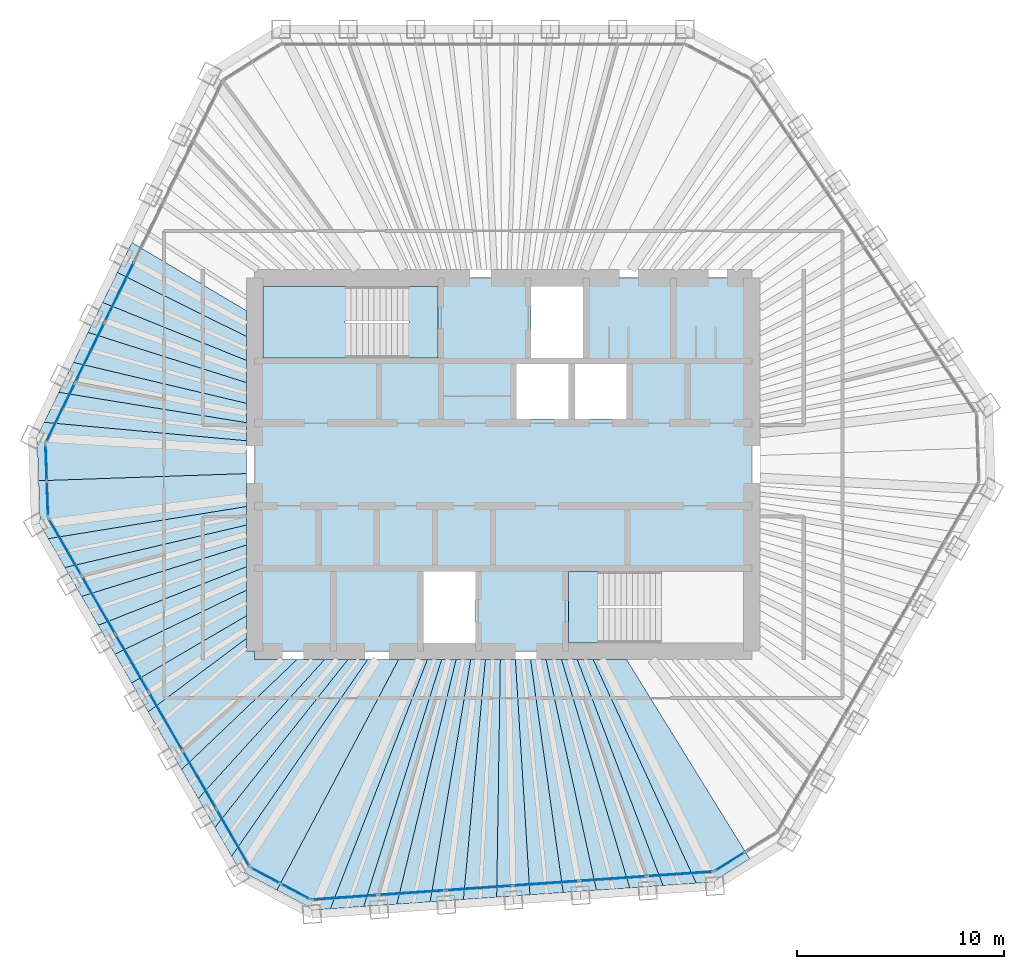
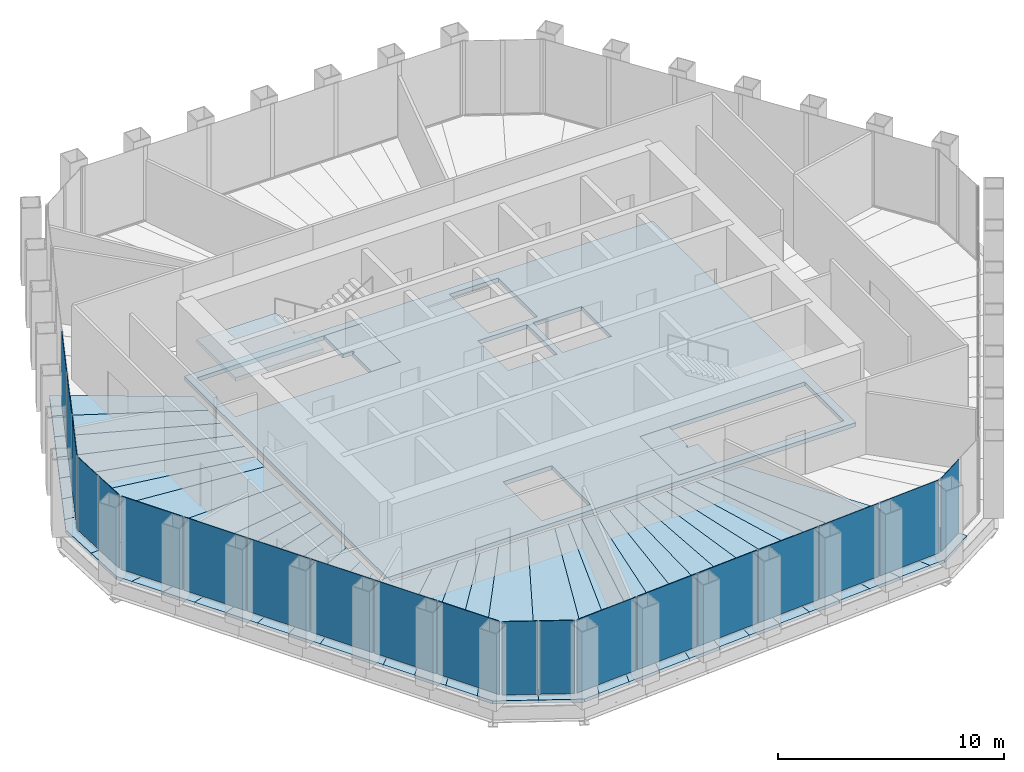
# One storey, part 9 of 14: 36 slabs, 20 plates, 8 elements without a shape of their own.
"""IFC4 building model written with IfcOpenShell, lengths in metres."""

from ifc_helpers import new_model, si_unit, direction, frame, origin, origin_2d, place, context, subcontext, project, spatial, polyline, rectangle, outline, extrude, material, layer, layer_set, type_object, element, aggregate, save


model = new_model("IFC4")

# Units and contexts
model_context = context("Model", 3, precision=1e-05, world=origin(), true_north=direction((0.0, 1.0)))
body_context = subcontext(model_context, "Body", "Model", "MODEL_VIEW")
ifc_project = project(units=[si_unit("LENGTHUNIT", "METRE"), si_unit("AREAUNIT", "SQUARE_METRE"), si_unit("VOLUMEUNIT", "CUBIC_METRE"), si_unit("PLANEANGLEUNIT", "RADIAN"), si_unit("MASSUNIT", "GRAM", prefix="KILO")], contexts=[model_context])

# Site, building, storey
site_placement = place(None, origin())
site = spatial("IfcSite", under=ifc_project, at=site_placement, CompositionType="ELEMENT")
building_placement = place(site_placement, origin())
building = spatial("IfcBuilding", under=site, at=building_placement, Name="Qingtian Harvest Tower", CompositionType="ELEMENT")
storey_placement = place(building_placement, frame((0.0, 0.0, 320.800048828125)))
storey = spatial("IfcBuildingStorey", under=building, at=storey_placement, Name="L71", CompositionType="ELEMENT", Elevation=320.800048828125)

# Slabs
ifc_material_1 = material(Name="Concrete fc' 35 MPa", Category="concrete")
ifc_layer_1 = layer(ifc_material_1, 0.169921875)
ifc_layer_set_1 = layer_set([ifc_layer_1], Name="Composite floor slab FS17 170")
slab_type_1 = type_object("IfcSlabType", Name="Composite floor slab FS17 170", PredefinedType="FLOOR", material=ifc_layer_set_1)
slab_1_placement = place(storey_placement, frame((0.0, 0.0, -0.170166015625)))
element("IfcSlab", 1, at=slab_1_placement, inside=storey, type_object=slab_type_1, Name="Floor slab L71 panel D01", PredefinedType="FLOOR", context=body_context, shape_type="SweptSolid", body=[
    extrude(outline(polyline([(-22.422607421875, -0.783203125), (-12.39990234375, -0.436767578125), (-12.39990234375, -2.028564453125), (-21.95751953125, -3.578369140625), (-22.348876953125, -2.90087890625), (-22.422607421875, -0.783203125)])), origin(), (0.0, 0.0, 1.0), 0.170166015625),
])
slab_2_placement = place(storey_placement, frame((0.0, 0.0, -0.170166015625)))
element("IfcSlab", 2, at=slab_2_placement, inside=storey, type_object=slab_type_1, Name="Floor slab L71 panel D02", PredefinedType="FLOOR", context=body_context, shape_type="SweptSolid", body=[
    extrude(outline(polyline([(-12.39990234375, -2.923095703125), (-21.153076171875, -4.9716796875), (-21.95751953125, -3.578369140625), (-12.39990234375, -2.028564453125), (-12.39990234375, -2.923095703125)])), origin(), (0.0, 0.0, 1.0), 0.170166015625),
])
slab_3_placement = place(storey_placement, frame((0.0, 0.0, -0.170166015625)))
element("IfcSlab", 3, at=slab_3_placement, inside=storey, type_object=slab_type_1, Name="Floor slab L71 panel D03", PredefinedType="FLOOR", context=body_context, shape_type="SweptSolid", body=[
    extrude(outline(polyline([(-12.39990234375, -3.888427734375), (-20.3486328125, -6.365234375), (-21.153076171875, -4.9716796875), (-12.39990234375, -2.923095703125), (-12.39990234375, -3.888427734375)])), origin(), (0.0, 0.0, 1.0), 0.170166015625),
])
slab_4_placement = place(storey_placement, frame((0.0, 0.0, -0.170166015625)))
element("IfcSlab", 4, at=slab_4_placement, inside=storey, type_object=slab_type_1, Name="Floor slab L71 panel D04", PredefinedType="FLOOR", context=body_context, shape_type="SweptSolid", body=[
    extrude(outline(polyline([(-12.39990234375, -4.93359375), (-19.544189453125, -7.758544921875), (-20.3486328125, -6.365234375), (-12.39990234375, -3.888427734375), (-12.39990234375, -4.93359375)])), origin(), (0.0, 0.0, 1.0), 0.170166015625),
])
slab_5_placement = place(storey_placement, frame((0.0, 0.0, -0.170166015625)))
element("IfcSlab", 5, at=slab_5_placement, inside=storey, type_object=slab_type_1, Name="Floor slab L71 panel D05", PredefinedType="FLOOR", context=body_context, shape_type="SweptSolid", body=[
    extrude(outline(polyline([(-12.39990234375, -6.068359375), (-18.73974609375, -9.15185546875), (-19.544189453125, -7.758544921875), (-12.39990234375, -4.93359375), (-12.39990234375, -6.068359375)])), origin(), (0.0, 0.0, 1.0), 0.170166015625),
])
slab_6_placement = place(storey_placement, frame((0.0, 0.0, -0.170166015625)))
element("IfcSlab", 6, at=slab_6_placement, inside=storey, type_object=slab_type_1, Name="Floor slab L71 panel D06", PredefinedType="FLOOR", context=body_context, shape_type="SweptSolid", body=[
    extrude(outline(polyline([(-12.39990234375, -7.304931640625), (-17.93505859375, -10.54541015625), (-18.73974609375, -9.15185546875), (-12.39990234375, -6.068359375), (-12.39990234375, -7.304931640625)])), origin(), (0.0, 0.0, 1.0), 0.170166015625),
])
slab_7_placement = place(storey_placement, frame((0.0, 0.0, -0.170166015625)))
element("IfcSlab", 7, at=slab_7_placement, inside=storey, type_object=slab_type_1, Name="Floor slab L71 panel D07", PredefinedType="FLOOR", context=body_context, shape_type="SweptSolid", body=[
    extrude(outline(polyline([(-12.39990234375, -8.400390625), (-17.134033203125, -11.932861328125), (-17.93505859375, -10.54541015625), (-12.39990234375, -7.304931640625), (-12.39990234375, -8.400390625)])), origin(), (0.0, 0.0, 1.0), 0.170166015625),
])
slab_8_placement = place(storey_placement, frame((0.0, 0.0, -0.170166015625)))
element("IfcSlab", 8, at=slab_8_placement, inside=storey, type_object=slab_type_1, Name="Floor slab L71 panel D09", PredefinedType="FLOOR", context=body_context, shape_type="SweptSolid", body=[
    extrude(outline(polyline([(-15.522216796875, -14.724609375), (-17.134033203125, -11.932861328125), (-12.39990234375, -8.400390625), (-12.39990234375, -9.0), (-12.0, -9.0), (-12.0, -9.39990234375), (-9.943115234375, -9.39990234375), (-15.522216796875, -14.724609375)])), origin(), (0.0, 0.0, 1.0), 0.170166015625),
])
slab_9_placement = place(storey_placement, frame((0.0, 0.0, -0.170166015625)))
element("IfcSlab", 9, at=slab_9_placement, inside=storey, type_object=slab_type_1, Name="Floor slab L71 panel D10", PredefinedType="FLOOR", context=body_context, shape_type="SweptSolid", body=[
    extrude(outline(polyline([(-8.609130859375, -9.39990234375), (-14.7177734375, -16.1181640625), (-15.522216796875, -14.724609375), (-9.943115234375, -9.39990234375), (-8.609130859375, -9.39990234375)])), origin(), (0.0, 0.0, 1.0), 0.170166015625),
])
slab_10_placement = place(storey_placement, frame((0.0, 0.0, -0.170166015625)))
element("IfcSlab", 10, at=slab_10_placement, inside=storey, type_object=slab_type_1, Name="Floor slab L71 panel D11", PredefinedType="FLOOR", context=body_context, shape_type="SweptSolid", body=[
    extrude(outline(polyline([(-7.488525390625, -9.39990234375), (-13.9130859375, -17.51171875), (-14.7177734375, -16.1181640625), (-8.609130859375, -9.39990234375), (-7.488525390625, -9.39990234375)])), origin(), (0.0, 0.0, 1.0), 0.170166015625),
])
slab_11_placement = place(storey_placement, frame((0.0, 0.0, -0.170166015625)))
element("IfcSlab", 11, at=slab_11_placement, inside=storey, type_object=slab_type_1, Name="Floor slab L71 panel D12", PredefinedType="FLOOR", context=body_context, shape_type="SweptSolid", body=[
    extrude(outline(polyline([(-6.533935546875, -9.39990234375), (-13.108642578125, -18.905029296875), (-13.9130859375, -17.51171875), (-7.488525390625, -9.39990234375), (-6.533935546875, -9.39990234375)])), origin(), (0.0, 0.0, 1.0), 0.170166015625),
])
slab_12_placement = place(storey_placement, frame((0.0, 0.0, -0.170166015625)))
element("IfcSlab", 12, at=slab_12_placement, inside=storey, type_object=slab_type_1, Name="Floor slab L71 panel D13", PredefinedType="FLOOR", context=body_context, shape_type="SweptSolid", body=[
    extrude(outline(polyline([(-6.533935546875, -9.39990234375), (-5.04638671875, -9.39990234375), (-10.921142578125, -20.537841796875), (-12.717529296875, -19.582763671875), (-13.108642578125, -18.905029296875), (-6.533935546875, -9.39990234375)])), origin(), (0.0, 0.0, 1.0), 0.170166015625),
])
slab_13_placement = place(storey_placement, frame((0.0, 0.0, -0.170166015625)))
element("IfcSlab", 13, at=slab_13_placement, inside=storey, type_object=slab_type_1, Name="Floor slab L71 panel D14", PredefinedType="FLOOR", context=body_context, shape_type="SweptSolid", body=[
    extrude(outline(polyline([(-5.04638671875, -9.39990234375), (-3.656982421875, -9.39990234375), (-8.343017578125, -21.439208984375), (-9.123291015625, -21.49365234375), (-10.921142578125, -20.537841796875), (-5.04638671875, -9.39990234375)])), origin(), (0.0, 0.0, 1.0), 0.170166015625),
])
slab_14_placement = place(storey_placement, frame((0.0, 0.0, -0.170166015625)))
element("IfcSlab", 14, at=slab_14_placement, inside=storey, type_object=slab_type_1, Name="Floor slab L71 panel D15", PredefinedType="FLOOR", context=body_context, shape_type="SweptSolid", body=[
    extrude(outline(polyline([(-2.968994140625, -9.39990234375), (-6.738037109375, -21.326904296875), (-8.343017578125, -21.439208984375), (-3.656982421875, -9.39990234375), (-2.968994140625, -9.39990234375)])), origin(), (0.0, 0.0, 1.0), 0.170166015625),
])
slab_15_placement = place(storey_placement, frame((0.0, 0.0, -0.170166015625)))
element("IfcSlab", 15, at=slab_15_placement, inside=storey, type_object=slab_type_1, Name="Floor slab L71 panel D16", PredefinedType="FLOOR", context=body_context, shape_type="SweptSolid", body=[
    extrude(outline(polyline([(-2.2734375, -9.39990234375), (-5.133056640625, -21.21484375), (-6.738037109375, -21.326904296875), (-2.968994140625, -9.39990234375), (-2.2734375, -9.39990234375)])), origin(), (0.0, 0.0, 1.0), 0.170166015625),
])
slab_16_placement = place(storey_placement, frame((0.0, 0.0, -0.170166015625)))
element("IfcSlab", 16, at=slab_16_placement, inside=storey, type_object=slab_type_1, Name="Floor slab L71 panel D17", PredefinedType="FLOOR", context=body_context, shape_type="SweptSolid", body=[
    extrude(outline(polyline([(-1.570556640625, -9.39990234375), (-3.528076171875, -21.1025390625), (-5.133056640625, -21.21484375), (-2.2734375, -9.39990234375), (-1.570556640625, -9.39990234375)])), origin(), (0.0, 0.0, 1.0), 0.170166015625),
])
slab_17_placement = place(storey_placement, frame((0.0, 0.0, -0.170166015625)))
element("IfcSlab", 17, at=slab_17_placement, inside=storey, type_object=slab_type_1, Name="Floor slab L71 panel D18", PredefinedType="FLOOR", context=body_context, shape_type="SweptSolid", body=[
    extrude(outline(polyline([(-0.860107421875, -9.39990234375), (-1.9228515625, -20.990234375), (-3.528076171875, -21.1025390625), (-1.570556640625, -9.39990234375), (-0.860107421875, -9.39990234375)])), origin(), (0.0, 0.0, 1.0), 0.170166015625),
])
slab_18_placement = place(storey_placement, frame((0.0, 0.0, -0.170166015625)))
element("IfcSlab", 18, at=slab_18_placement, inside=storey, type_object=slab_type_1, Name="Floor slab L71 panel D19", PredefinedType="FLOOR", context=body_context, shape_type="SweptSolid", body=[
    extrude(outline(polyline([(-0.14208984375, -9.39990234375), (-0.31787109375, -20.8779296875), (-1.9228515625, -20.990234375), (-0.860107421875, -9.39990234375), (-0.14208984375, -9.39990234375)])), origin(), (0.0, 0.0, 1.0), 0.170166015625),
])
slab_19_placement = place(storey_placement, frame((0.0, 0.0, -0.170166015625)))
element("IfcSlab", 19, at=slab_19_placement, inside=storey, type_object=slab_type_1, Name="Floor slab L71 panel D20", PredefinedType="FLOOR", context=body_context, shape_type="SweptSolid", body=[
    extrude(outline(polyline([(0.58349609375, -9.39990234375), (1.287109375, -20.765869140625), (-0.31787109375, -20.8779296875), (-0.14208984375, -9.39990234375), (0.58349609375, -9.39990234375)])), origin(), (0.0, 0.0, 1.0), 0.170166015625),
])
slab_20_placement = place(storey_placement, frame((0.0, 0.0, -0.170166015625)))
element("IfcSlab", 20, at=slab_20_placement, inside=storey, type_object=slab_type_1, Name="Floor slab L71 panel D21", PredefinedType="FLOOR", context=body_context, shape_type="SweptSolid", body=[
    extrude(outline(polyline([(1.3173828125, -9.39990234375), (2.89208984375, -20.653564453125), (1.287109375, -20.765869140625), (0.58349609375, -9.39990234375), (1.3173828125, -9.39990234375)])), origin(), (0.0, 0.0, 1.0), 0.170166015625),
])
slab_21_placement = place(storey_placement, frame((0.0, 0.0, -0.170166015625)))
element("IfcSlab", 21, at=slab_21_placement, inside=storey, type_object=slab_type_1, Name="Floor slab L71 panel D22", PredefinedType="FLOOR", context=body_context, shape_type="SweptSolid", body=[
    extrude(outline(polyline([(2.058837890625, -9.39990234375), (4.4970703125, -20.541259765625), (2.89208984375, -20.653564453125), (1.3173828125, -9.39990234375), (2.058837890625, -9.39990234375)])), origin(), (0.0, 0.0, 1.0), 0.170166015625),
])
slab_22_placement = place(storey_placement, frame((0.0, 0.0, -0.170166015625)))
element("IfcSlab", 22, at=slab_22_placement, inside=storey, type_object=slab_type_1, Name="Floor slab L71 panel D23", PredefinedType="FLOOR", context=body_context, shape_type="SweptSolid", body=[
    extrude(outline(polyline([(2.808837890625, -9.39990234375), (6.10205078125, -20.42919921875), (4.4970703125, -20.541259765625), (2.058837890625, -9.39990234375), (2.808837890625, -9.39990234375)])), origin(), (0.0, 0.0, 1.0), 0.170166015625),
])
slab_23_placement = place(storey_placement, frame((0.0, 0.0, -0.170166015625)))
element("IfcSlab", 23, at=slab_23_placement, inside=storey, type_object=slab_type_1, Name="Floor slab L71 panel D24", PredefinedType="FLOOR", context=body_context, shape_type="SweptSolid", body=[
    extrude(outline(polyline([(3.56689453125, -9.39990234375), (7.70703125, -20.31689453125), (6.10205078125, -20.42919921875), (2.808837890625, -9.39990234375), (3.56689453125, -9.39990234375)])), origin(), (0.0, 0.0, 1.0), 0.170166015625),
])
slab_24_placement = place(storey_placement, frame((0.0, 0.0, -0.170166015625)))
element("IfcSlab", 24, at=slab_24_placement, inside=storey, type_object=slab_type_1, Name="Floor slab L71 panel D25", PredefinedType="FLOOR", context=body_context, shape_type="SweptSolid", body=[
    extrude(outline(polyline([(4.33349609375, -9.39990234375), (9.312255859375, -20.20458984375), (7.70703125, -20.31689453125), (3.56689453125, -9.39990234375), (4.33349609375, -9.39990234375)])), origin(), (0.0, 0.0, 1.0), 0.170166015625),
])
slab_25_placement = place(storey_placement, frame((0.0, 0.0, -0.170166015625)))
element("IfcSlab", 25, at=slab_25_placement, inside=storey, type_object=slab_type_1, Name="Floor slab L71 panel D26", PredefinedType="FLOOR", context=body_context, shape_type="SweptSolid", body=[
    extrude(outline(polyline([(4.33349609375, -9.39990234375), (5.945556640625, -9.39990234375), (11.890380859375, -19.026611328125), (10.09228515625, -20.150146484375), (9.312255859375, -20.20458984375), (4.33349609375, -9.39990234375)])), origin(), (0.0, 0.0, 1.0), 0.170166015625),
])
slab_26_placement = place(storey_placement, frame((0.0, 0.0, -0.170166015625)))
element("IfcSlab", 26, at=slab_26_placement, inside=storey, type_object=slab_type_1, Name="Floor slab L71 panel D72", PredefinedType="FLOOR", context=body_context, shape_type="SweptSolid", body=[
    extrude(outline(polyline([(-12.39990234375, 6.18115234375), (-18.627197265625, 9.2685546875), (-17.921875, 10.714599609375), (-12.39990234375, 7.42578125), (-12.39990234375, 6.18115234375)])), origin(), (0.0, 0.0, 1.0), 0.170166015625),
])
slab_27_placement = place(storey_placement, frame((0.0, 0.0, -0.170166015625)))
element("IfcSlab", 27, at=slab_27_placement, inside=storey, type_object=slab_type_1, Name="Floor slab L71 panel D73", PredefinedType="FLOOR", context=body_context, shape_type="SweptSolid", body=[
    extrude(outline(polyline([(-12.39990234375, 5.02734375), (-19.33251953125, 7.822509765625), (-18.627197265625, 9.2685546875), (-12.39990234375, 6.18115234375), (-12.39990234375, 5.02734375)])), origin(), (0.0, 0.0, 1.0), 0.170166015625),
])
slab_28_placement = place(storey_placement, frame((0.0, 0.0, -0.170166015625)))
element("IfcSlab", 28, at=slab_28_placement, inside=storey, type_object=slab_type_1, Name="Floor slab L71 panel D74", PredefinedType="FLOOR", context=body_context, shape_type="SweptSolid", body=[
    extrude(outline(polyline([(-12.39990234375, 3.954833984375), (-20.037841796875, 6.376220703125), (-19.33251953125, 7.822509765625), (-12.39990234375, 5.02734375), (-12.39990234375, 3.954833984375)])), origin(), (0.0, 0.0, 1.0), 0.170166015625),
])
slab_29_placement = place(storey_placement, frame((0.0, 0.0, -0.170166015625)))
element("IfcSlab", 29, at=slab_29_placement, inside=storey, type_object=slab_type_1, Name="Floor slab L71 panel D75", PredefinedType="FLOOR", context=body_context, shape_type="SweptSolid", body=[
    extrude(outline(polyline([(-12.39990234375, 2.955322265625), (-20.7431640625, 4.93017578125), (-20.037841796875, 6.376220703125), (-12.39990234375, 3.954833984375), (-12.39990234375, 2.955322265625)])), origin(), (0.0, 0.0, 1.0), 0.170166015625),
])
slab_30_placement = place(storey_placement, frame((0.0, 0.0, -0.170166015625)))
element("IfcSlab", 30, at=slab_30_placement, inside=storey, type_object=slab_type_1, Name="Floor slab L71 panel D76", PredefinedType="FLOOR", context=body_context, shape_type="SweptSolid", body=[
    extrude(outline(polyline([(-12.39990234375, 2.021484375), (-21.448486328125, 3.484130859375), (-20.7431640625, 4.93017578125), (-12.39990234375, 2.955322265625), (-12.39990234375, 2.021484375)])), origin(), (0.0, 0.0, 1.0), 0.170166015625),
])
slab_31_placement = place(storey_placement, frame((0.0, 0.0, -0.170166015625)))
element("IfcSlab", 31, at=slab_31_placement, inside=storey, type_object=slab_type_1, Name="Floor slab L71 panel D77", PredefinedType="FLOOR", context=body_context, shape_type="SweptSolid", body=[
    extrude(outline(polyline([(-12.39990234375, 1.147216796875), (-22.15380859375, 2.037841796875), (-21.448486328125, 3.484130859375), (-12.39990234375, 2.021484375), (-12.39990234375, 1.147216796875)])), origin(), (0.0, 0.0, 1.0), 0.170166015625),
])
slab_32_placement = place(storey_placement, frame((0.0, 0.0, -0.170166015625)))
element("IfcSlab", 32, at=slab_32_placement, inside=storey, type_object=slab_type_1, Name="Floor slab L71 panel D78", PredefinedType="FLOOR", context=body_context, shape_type="SweptSolid", body=[
    extrude(outline(polyline([(-12.39990234375, 1.147216796875), (-12.39990234375, -0.436767578125), (-22.422607421875, -0.783203125), (-22.49658203125, 1.334716796875), (-22.15380859375, 2.037841796875), (-12.39990234375, 1.147216796875)])), origin(), (0.0, 0.0, 1.0), 0.170166015625),
])
ifc_material_2 = material(Name="Concrete fc' 35 MPa", Category="concrete")
ifc_layer_2 = layer(ifc_material_2, 0.219970703125)
ifc_layer_set_2 = layer_set([ifc_layer_2], Name="Core floor slab CS22 220")
slab_type_2 = type_object("IfcSlabType", Name="Core floor slab CS22 220", PredefinedType="FLOOR", material=ifc_layer_set_2)
slab_33_placement = place(storey_placement, frame((0.0, 0.0, -0.219970703125)))
element("IfcSlab", 33, at=slab_33_placement, inside=storey, type_object=slab_type_2, Name="Core floor slab L71", PredefinedType="FLOOR", context=body_context, shape_type="SweptSolid", body=[
    extrude(outline(polyline([(-12.0, -9.0), (12.0, -9.0), (12.0, 9.0), (-12.0, 9.0), (-12.0, -9.0)]), holes=[polyline([(-11.60009765625, 5.14990234375), (-3.14990234375, 5.14990234375), (-3.14990234375, 8.60009765625), (-11.60009765625, 8.60009765625), (-11.60009765625, 5.14990234375)]), polyline([(3.14990234375, -8.60009765625), (11.60009765625, -8.60009765625), (11.60009765625, -5.14990234375), (3.14990234375, -5.14990234375), (3.14990234375, -8.60009765625)]), polyline([(1.35009765625, 5.14990234375), (3.85009765625, 5.14990234375), (3.85009765625, 8.60009765625), (1.35009765625, 8.60009765625), (1.35009765625, 5.14990234375)]), polyline([(-3.85009765625, -8.60009765625), (-1.35009765625, -8.60009765625), (-1.35009765625, -5.14990234375), (-3.85009765625, -5.14990234375), (-3.85009765625, -8.60009765625)]), polyline([(0.64990234375, 2.199951171875), (3.14990234375, 2.199951171875), (3.14990234375, 4.85009765625), (0.64990234375, 4.85009765625), (0.64990234375, 2.199951171875)]), polyline([(3.449951171875, 2.199951171875), (5.949951171875, 2.199951171875), (5.949951171875, 4.85009765625), (3.449951171875, 4.85009765625), (3.449951171875, 2.199951171875)])]), origin(), (0.0, 0.0, 1.0), 0.219970703125),
])

# Curtain wall, plate
ifc_material_3 = material(Name="Bronze-anodised aluminium curtain wall", Category="aluminium")
curtain_wall_type = type_object("IfcCurtainWallType", Name="Curtain wall CW5 upper office", PredefinedType="USERDEFINED", material=ifc_material_3)
curtain_wall_1_placement = place(storey_placement, origin())
curtain_wall_1 = element("IfcCurtainWall", 34, at=curtain_wall_1_placement, inside=storey, type_object=curtain_wall_type, Name="Curtain wall CW5 L71 SEC", ObjectType="RECESSED CURTAIN WALL", PredefinedType="USERDEFINED")
ifc_material_4 = material(Name="Bronze-tinted laminated insulating glass", Category="glass")
ifc_layer_3 = layer(ifc_material_4, 0.030029296875)
ifc_layer_set_3 = layer_set([ifc_layer_3], Name="Glazed panel CWP tinted IGU")
plate_type = type_object("IfcPlateType", Name="Glazed panel CWP tinted IGU", PredefinedType="CURTAIN_PANEL", material=ifc_layer_set_3)
plate_1_placement = place(storey_placement, frame((10.93359375, -19.156005859375, 0.06494140625), z_axis=(0.0, 0.0, 1.0), x_axis=(-0.848048096156, -0.529919264233, 0.0)))
plate_1 = element("IfcPlate", 35, at=plate_1_placement, type_object=plate_type, Name="CW5 panel 2.1", PredefinedType="CURTAIN_PANEL", context=body_context, shape_type="SweptSolid", body=[
    extrude(rectangle(XDim=1.69287109375, YDim=0.030029296875, at=origin_2d()), origin(), (0.0, 0.0, 1.0), 3.965087890625),
])
aggregate(curtain_wall_1, [plate_1])

# Curtain wall, plates
curtain_wall_2_placement = place(storey_placement, origin())
curtain_wall_2 = element("IfcCurtainWall", 36, at=curtain_wall_2_placement, inside=storey, type_object=curtain_wall_type, Name="Curtain wall CW5 L71 S0-5", ObjectType="RECESSED CURTAIN WALL", PredefinedType="USERDEFINED")
plate_2_placement = place(storey_placement, frame((8.5244140625, -19.75341796875, 0.06494140625), z_axis=(0.0, 0.0, 1.0), x_axis=(-0.99756405026, -0.069756473744, 0.0)))
plate_2 = element("IfcPlate", 37, at=plate_2_placement, type_object=plate_type, Name="CW5 panel 1.1", PredefinedType="CURTAIN_PANEL", context=body_context, shape_type="SweptSolid", body=[
    extrude(rectangle(XDim=3.150634765625, YDim=0.030029296875, at=origin_2d()), origin(), (0.0, 0.0, 1.0), 3.965087890625),
])
plate_3_placement = place(storey_placement, frame((5.300537109375, -19.97900390625, 0.06494140625), z_axis=(0.0, 0.0, 1.0), x_axis=(-0.99756405026, -0.069756473744, 0.0)))
plate_3 = element("IfcPlate", 38, at=plate_3_placement, type_object=plate_type, Name="CW5 panel 2.1", PredefinedType="CURTAIN_PANEL", context=body_context, shape_type="SweptSolid", body=[
    extrude(rectangle(XDim=3.18310546875, YDim=0.030029296875, at=origin_2d()), origin(), (0.0, 0.0, 1.0), 3.965087890625),
])
plate_4_placement = place(storey_placement, frame((2.060302734375, -20.20556640625, 0.06494140625), z_axis=(0.0, 0.0, 1.0), x_axis=(-0.99756405026, -0.069756473744, 0.0)))
plate_4 = element("IfcPlate", 39, at=plate_4_placement, type_object=plate_type, Name="CW5 panel 3.1", PredefinedType="CURTAIN_PANEL", context=body_context, shape_type="SweptSolid", body=[
    extrude(rectangle(XDim=3.18310546875, YDim=0.030029296875, at=origin_2d()), origin(), (0.0, 0.0, 1.0), 3.965087890625),
])
plate_5_placement = place(storey_placement, frame((-1.1796875, -20.43212890625, 0.06494140625), z_axis=(0.0, 0.0, 1.0), x_axis=(-0.99756405026, -0.069756473744, 0.0)))
plate_5 = element("IfcPlate", 40, at=plate_5_placement, type_object=plate_type, Name="CW5 panel 4.1", PredefinedType="CURTAIN_PANEL", context=body_context, shape_type="SweptSolid", body=[
    extrude(rectangle(XDim=3.18310546875, YDim=0.030029296875, at=origin_2d()), origin(), (0.0, 0.0, 1.0), 3.965087890625),
])
plate_6_placement = place(storey_placement, frame((-4.419921875, -20.65869140625, 0.06494140625), z_axis=(0.0, 0.0, 1.0), x_axis=(-0.99756405026, -0.069756473744, 0.0)))
plate_6 = element("IfcPlate", 41, at=plate_6_placement, type_object=plate_type, Name="CW5 panel 5.1", PredefinedType="CURTAIN_PANEL", context=body_context, shape_type="SweptSolid", body=[
    extrude(rectangle(XDim=3.18310546875, YDim=0.030029296875, at=origin_2d()), origin(), (0.0, 0.0, 1.0), 3.965087890625),
])
plate_7_placement = place(storey_placement, frame((-7.643798828125, -20.884033203125, 0.06494140625), z_axis=(0.0, 0.0, 1.0), x_axis=(-0.99756405026, -0.069756473744, 0.0)))
plate_7 = element("IfcPlate", 42, at=plate_7_placement, type_object=plate_type, Name="CW5 panel 6.1", PredefinedType="CURTAIN_PANEL", context=body_context, shape_type="SweptSolid", body=[
    extrude(rectangle(XDim=3.150634765625, YDim=0.030029296875, at=origin_2d()), origin(), (0.0, 0.0, 1.0), 3.965087890625),
])
aggregate(curtain_wall_2, [plate_2, plate_3, plate_4, plate_5, plate_6, plate_7])

curtain_wall_3_placement = place(storey_placement, origin())
curtain_wall_3 = element("IfcCurtainWall", 43, at=curtain_wall_3_placement, inside=storey, type_object=curtain_wall_type, Name="Curtain wall CW5 L71 SC", ObjectType="RECESSED CURTAIN WALL", PredefinedType="USERDEFINED")
plate_8_placement = place(storey_placement, frame((-10.029296875, -20.60009765625, 0.06494140625), z_axis=(0.0, 0.0, 1.0), x_axis=(-0.882947592859, 0.469471562786, 0.0)))
plate_8 = element("IfcPlate", 44, at=plate_8_placement, type_object=plate_type, Name="CW5 panel 1.1", PredefinedType="CURTAIN_PANEL", context=body_context, shape_type="SweptSolid", body=[
    extrude(rectangle(XDim=1.56689453125, YDim=0.030029296875, at=origin_2d()), origin(), (0.0, 0.0, 1.0), 3.965087890625),
])
plate_9_placement = place(storey_placement, frame((-11.469970703125, -19.833984375, 0.06494140625), z_axis=(0.0, 0.0, 1.0), x_axis=(-0.882947592859, 0.469471562786, 0.0)))
plate_9 = element("IfcPlate", 45, at=plate_9_placement, type_object=plate_type, Name="CW5 panel 2.1", PredefinedType="CURTAIN_PANEL", context=body_context, shape_type="SweptSolid", body=[
    extrude(rectangle(XDim=1.56689453125, YDim=0.030029296875, at=origin_2d()), origin(), (0.0, 0.0, 1.0), 3.965087890625),
])
aggregate(curtain_wall_3, [plate_8, plate_9])

curtain_wall_4_placement = place(storey_placement, origin())
curtain_wall_4 = element("IfcCurtainWall", 46, at=curtain_wall_4_placement, inside=storey, type_object=curtain_wall_type, Name="Curtain wall CW5 L71 SW0-5", ObjectType="RECESSED CURTAIN WALL", PredefinedType="USERDEFINED")
plate_10_placement = place(storey_placement, frame((-13.039306640625, -18.01513671875, 0.06494140625), z_axis=(0.0, 0.0, 1.0), x_axis=(-0.5, 0.866025403784, 0.0)))
plate_10 = element("IfcPlate", 47, at=plate_10_placement, type_object=plate_type, Name="CW5 panel 1.1", PredefinedType="CURTAIN_PANEL", context=body_context, shape_type="SweptSolid", body=[
    extrude(rectangle(XDim=3.150634765625, YDim=0.030029296875, at=origin_2d()), origin(), (0.0, 0.0, 1.0), 3.965087890625),
])
plate_11_placement = place(storey_placement, frame((-14.6552734375, -15.216552734375, 0.06494140625), z_axis=(0.0, 0.0, 1.0), x_axis=(-0.5, 0.866025403784, 0.0)))
plate_11 = element("IfcPlate", 48, at=plate_11_placement, type_object=plate_type, Name="CW5 panel 2.1", PredefinedType="CURTAIN_PANEL", context=body_context, shape_type="SweptSolid", body=[
    extrude(rectangle(XDim=3.18310546875, YDim=0.030029296875, at=origin_2d()), origin(), (0.0, 0.0, 1.0), 3.965087890625),
])
plate_12_placement = place(storey_placement, frame((-16.279296875, -12.403564453125, 0.06494140625), z_axis=(0.0, 0.0, 1.0), x_axis=(-0.5, 0.866025403784, 0.0)))
plate_12 = element("IfcPlate", 49, at=plate_12_placement, type_object=plate_type, Name="CW5 panel 3.1", PredefinedType="CURTAIN_PANEL", context=body_context, shape_type="SweptSolid", body=[
    extrude(rectangle(XDim=3.18310546875, YDim=0.030029296875, at=origin_2d()), origin(), (0.0, 0.0, 1.0), 3.965087890625),
])
plate_13_placement = place(storey_placement, frame((-17.9033203125, -9.590576171875, 0.06494140625), z_axis=(0.0, 0.0, 1.0), x_axis=(-0.5, 0.866025403784, 0.0)))
plate_13 = element("IfcPlate", 50, at=plate_13_placement, type_object=plate_type, Name="CW5 panel 4.1", PredefinedType="CURTAIN_PANEL", context=body_context, shape_type="SweptSolid", body=[
    extrude(rectangle(XDim=3.18310546875, YDim=0.030029296875, at=origin_2d()), origin(), (0.0, 0.0, 1.0), 3.965087890625),
])
plate_14_placement = place(storey_placement, frame((-19.52734375, -6.77783203125, 0.06494140625), z_axis=(0.0, 0.0, 1.0), x_axis=(-0.5, 0.866025403784, 0.0)))
plate_14 = element("IfcPlate", 51, at=plate_14_placement, type_object=plate_type, Name="CW5 panel 5.1", PredefinedType="CURTAIN_PANEL", context=body_context, shape_type="SweptSolid", body=[
    extrude(rectangle(XDim=3.18310546875, YDim=0.030029296875, at=origin_2d()), origin(), (0.0, 0.0, 1.0), 3.965087890625),
])
plate_15_placement = place(storey_placement, frame((-21.14306640625, -3.97900390625, 0.06494140625), z_axis=(0.0, 0.0, 1.0), x_axis=(-0.5, 0.866025403784, 0.0)))
plate_15 = element("IfcPlate", 52, at=plate_15_placement, type_object=plate_type, Name="CW5 panel 6.1", PredefinedType="CURTAIN_PANEL", context=body_context, shape_type="SweptSolid", body=[
    extrude(rectangle(XDim=3.150634765625, YDim=0.030029296875, at=origin_2d()), origin(), (0.0, 0.0, 1.0), 3.965087890625),
])
aggregate(curtain_wall_4, [plate_10, plate_11, plate_12, plate_13, plate_14, plate_15])

curtain_wall_5_placement = place(storey_placement, origin())
curtain_wall_5 = element("IfcCurtainWall", 53, at=curtain_wall_5_placement, inside=storey, type_object=curtain_wall_type, Name="Curtain wall CW5 L71 SWC", ObjectType="RECESSED CURTAIN WALL", PredefinedType="USERDEFINED")
plate_16_placement = place(storey_placement, frame((-21.9951171875, -1.647705078125, 0.06494140625), z_axis=(0.0, 0.0, 1.0), x_axis=(-0.034899496703, 0.999390827019, 0.0)))
plate_16 = element("IfcPlate", 54, at=plate_16_placement, type_object=plate_type, Name="CW5 panel 1.1", PredefinedType="CURTAIN_PANEL", context=body_context, shape_type="SweptSolid", body=[
    extrude(rectangle(XDim=1.69287109375, YDim=0.030029296875, at=origin_2d()), origin(), (0.0, 0.0, 1.0), 3.965087890625),
])
plate_17_placement = place(storey_placement, frame((-22.056396484375, 0.109375, 0.06494140625), z_axis=(0.0, 0.0, 1.0), x_axis=(-0.034899496703, 0.999390827019, 0.0)))
plate_17 = element("IfcPlate", 55, at=plate_17_placement, type_object=plate_type, Name="CW5 panel 2.1", PredefinedType="CURTAIN_PANEL", context=body_context, shape_type="SweptSolid", body=[
    extrude(rectangle(XDim=1.69287109375, YDim=0.030029296875, at=origin_2d()), origin(), (0.0, 0.0, 1.0), 3.965087890625),
])
aggregate(curtain_wall_5, [plate_16, plate_17])

curtain_wall_6_placement = place(storey_placement, origin())
curtain_wall_6 = element("IfcCurtainWall", 56, at=curtain_wall_6_placement, inside=storey, type_object=curtain_wall_type, Name="Curtain wall CW5 L71 NW0-5", ObjectType="RECESSED CURTAIN WALL", PredefinedType="USERDEFINED")
plate_18_placement = place(storey_placement, frame((-21.369140625, 2.494384765625, 0.06494140625), z_axis=(0.0, 0.0, 1.0), x_axis=(0.438371146789, 0.898794046299, 0.0)))
plate_18 = element("IfcPlate", 57, at=plate_18_placement, type_object=plate_type, Name="CW5 panel 1.1", PredefinedType="CURTAIN_PANEL", context=body_context, shape_type="SweptSolid", body=[
    extrude(rectangle(XDim=3.150634765625, YDim=0.030029296875, at=origin_2d()), origin(), (0.0, 0.0, 1.0), 3.965087890625),
])
plate_19_placement = place(storey_placement, frame((-19.952392578125, 5.399169921875, 0.06494140625), z_axis=(0.0, 0.0, 1.0), x_axis=(0.438371146789, 0.898794046299, 0.0)))
plate_19 = element("IfcPlate", 58, at=plate_19_placement, type_object=plate_type, Name="CW5 panel 2.1", PredefinedType="CURTAIN_PANEL", context=body_context, shape_type="SweptSolid", body=[
    extrude(rectangle(XDim=3.18310546875, YDim=0.030029296875, at=origin_2d()), origin(), (0.0, 0.0, 1.0), 3.965087890625),
])
plate_20_placement = place(storey_placement, frame((-18.528564453125, 8.318359375, 0.06494140625), z_axis=(0.0, 0.0, 1.0), x_axis=(0.438371146789, 0.898794046299, 0.0)))
plate_20 = element("IfcPlate", 59, at=plate_20_placement, type_object=plate_type, Name="CW5 panel 3.1", PredefinedType="CURTAIN_PANEL", context=body_context, shape_type="SweptSolid", body=[
    extrude(rectangle(XDim=3.18310546875, YDim=0.030029296875, at=origin_2d()), origin(), (0.0, 0.0, 1.0), 3.965087890625),
])
aggregate(curtain_wall_6, [plate_18, plate_19, plate_20])

# Stair, slabs
ifc_material_5 = material(Name="Concrete fc' 35 MPa", Category="concrete")
stair_type = type_object("IfcStairType", Name="Special stair ST7 4200", PredefinedType="HALF_TURN_STAIR", material=ifc_material_5)
stair_1_placement = place(storey_placement, origin())
stair_1 = element("IfcStair", 60, at=stair_1_placement, inside=storey, type_object=stair_type, Name="Special stair S1 L71", PredefinedType="HALF_TURN_STAIR")
ifc_material_6 = material(Name="Concrete fc' 35 MPa", Category="concrete")
ifc_layer_4 = layer(ifc_material_6, 0.199951171875)
ifc_layer_set_4 = layer_set([ifc_layer_4], Name="Stair landing SL2 200")
slab_type_3 = type_object("IfcSlabType", Name="Stair landing SL2 200", PredefinedType="LANDING", material=ifc_layer_set_4)
slab_34_placement = place(storey_placement, frame((0.0, 0.0, -0.199951171875)))
slab_34 = element("IfcSlab", 61, at=slab_34_placement, type_object=slab_type_3, Name="S1 landing 1", PredefinedType="LANDING", context=body_context, shape_type="SweptSolid", body=[
    extrude(outline(polyline([(-4.64990234375, 5.14990234375), (-4.64990234375, 6.824951171875), (-4.550048828125, 6.824951171875), (-4.550048828125, 6.925048828125), (-5.0849609375, 6.925048828125), (-5.0849609375, 8.60009765625), (-3.14990234375, 8.60009765625), (-3.14990234375, 5.14990234375), (-4.64990234375, 5.14990234375)])), origin(), (0.0, 0.0, 1.0), 0.199951171875),
])
slab_35_placement = place(storey_placement, frame((0.0, 0.0, 1.89990234375)))
slab_35 = element("IfcSlab", 62, at=slab_35_placement, type_object=slab_type_3, Name="S1 landing 2", PredefinedType="LANDING", context=body_context, shape_type="SweptSolid", body=[
    extrude(outline(polyline([(-7.094970703125, 5.14990234375), (-11.60009765625, 5.14990234375), (-11.60009765625, 8.60009765625), (-7.530029296875, 8.60009765625), (-7.530029296875, 6.925048828125), (-7.6298828125, 6.925048828125), (-7.6298828125, 6.824951171875), (-7.094970703125, 6.824951171875), (-7.094970703125, 5.14990234375)])), origin(), (0.0, 0.0, 1.0), 0.199951171875),
])
aggregate(stair_1, [slab_34, slab_35])

# Stair, slab
stair_2_placement = place(storey_placement, origin())
stair_2 = element("IfcStair", 63, at=stair_2_placement, inside=storey, type_object=stair_type, Name="Special stair S2 L71", PredefinedType="HALF_TURN_STAIR")
slab_36_placement = place(storey_placement, frame((0.0, 0.0, -0.199951171875)))
slab_36 = element("IfcSlab", 64, at=slab_36_placement, type_object=slab_type_3, Name="S2 landing 1", PredefinedType="LANDING", context=body_context, shape_type="SweptSolid", body=[
    extrude(outline(polyline([(5.0849609375, -8.60009765625), (3.14990234375, -8.60009765625), (3.14990234375, -5.14990234375), (4.64990234375, -5.14990234375), (4.64990234375, -6.824951171875), (4.550048828125, -6.824951171875), (4.550048828125, -6.925048828125), (5.0849609375, -6.925048828125), (5.0849609375, -8.60009765625)])), origin(), (0.0, 0.0, 1.0), 0.199951171875),
])
aggregate(stair_2, [slab_36])

save(model, "model.ifc")
